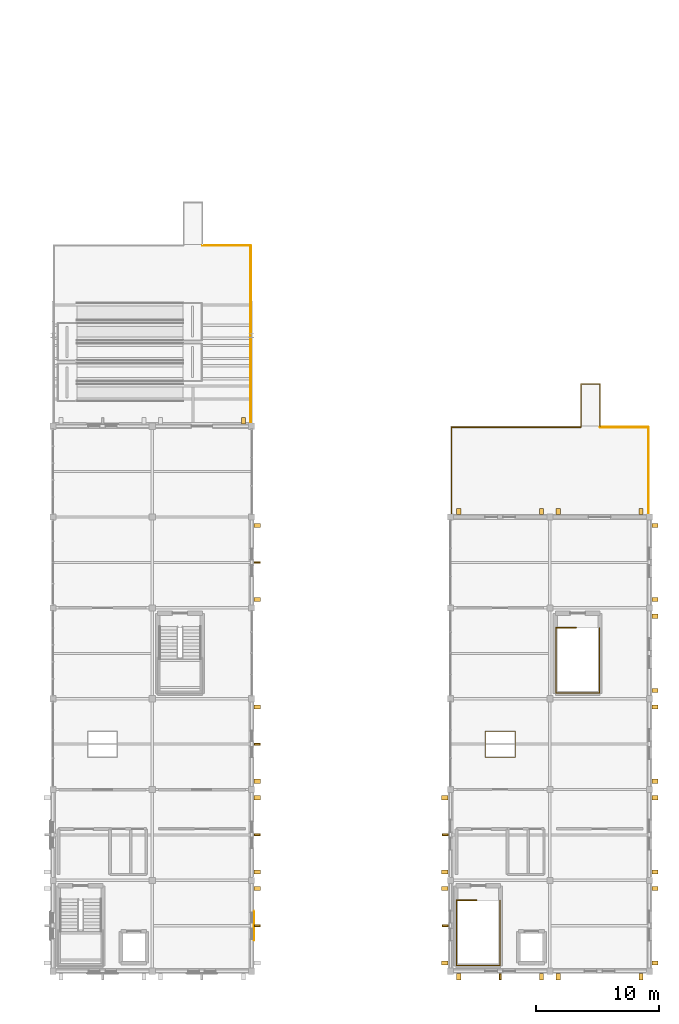
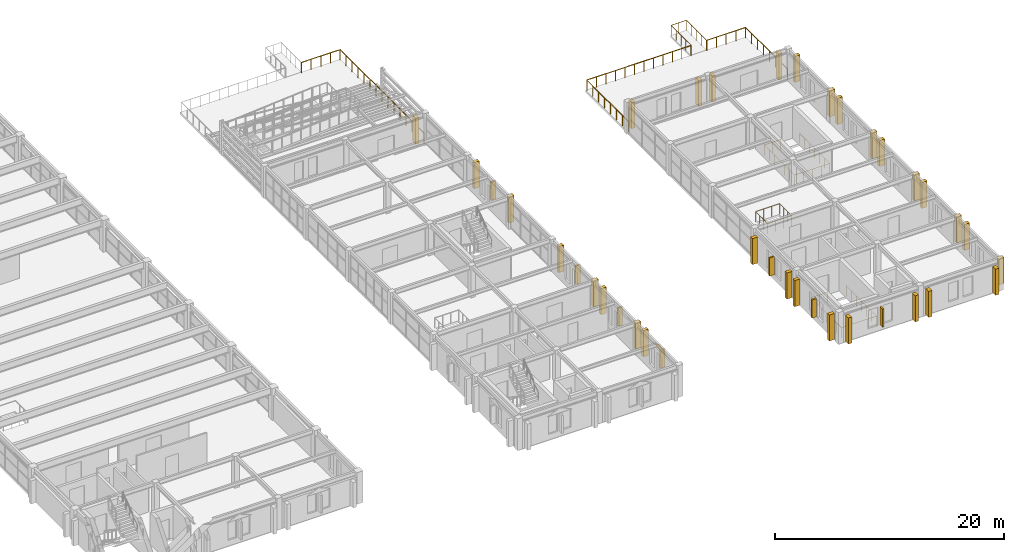
# One storey, part 93 of 93: 37 shading devices, 7 railings, 1 covering.
"""IFC4 building model written with IfcOpenShell, lengths in metres."""

from ifc_helpers import new_model, si_unit, direction, frame, origin, origin_2d, place, context, subcontext, project, spatial, polyline, rectangle, circle, outline, extrude, material, layer, layer_set, type_object, element, save


model = new_model("IFC4")

# Units and contexts
model_context = context("Model", 3, precision=1e-05, world=origin(), true_north=direction((0.0, 1.0)))
body_context = subcontext(model_context, "Body", "Model", "MODEL_VIEW")
ifc_project = project(units=[si_unit("LENGTHUNIT", "METRE"), si_unit("AREAUNIT", "SQUARE_METRE"), si_unit("VOLUMEUNIT", "CUBIC_METRE"), si_unit("PLANEANGLEUNIT", "RADIAN"), si_unit("MASSUNIT", "GRAM", prefix="KILO")], contexts=[model_context])

# Site, building, storey
site_placement = place(None, origin())
site = spatial("IfcSite", under=ifc_project, at=site_placement, CompositionType="ELEMENT")
building_placement = place(site_placement, origin())
building = spatial("IfcBuilding", under=site, at=building_placement, Name="Cimatlan Art Gallery", CompositionType="ELEMENT")
storey_placement = place(building_placement, frame((0.0, 0.0, 13.800048828125)))
storey = spatial("IfcBuildingStorey", under=building, at=storey_placement, Name="L03", CompositionType="ELEMENT", Elevation=13.800048828125)

# Covering
ifc_material_1 = material(Name="Queretaro cantera limestone ashlar hood-mould", Category="masonry")
ifc_layer = layer(ifc_material_1, 0.0419921875)
ifc_layer_set = layer_set([ifc_layer], Name="Queretaro cantera limestone ashlar hood-mould")
covering_type = type_object("IfcCoveringType", Name="COV-CLAD-CANTERA-42", PredefinedType="CLADDING", material=ifc_layer_set)
covering_placement = place(storey_placement, frame((131.778076171875, 28.820068359375, 2.58984375), z_axis=(-1.0, 0.0, 0.0), x_axis=(0.0, -1.0, 0.0)))
element("IfcCovering", 1, at=covering_placement, inside=storey, type_object=covering_type, Name="CLD-090", PredefinedType="CLADDING", context=body_context, shape_type="SweptSolid", body=[
    extrude(outline(polyline([(0.0, 0.0), (2.440185546875, 0.0), (1.219970703125, 0.52001953125), (0.0, 0.0)])), origin(), (0.0, 0.0, -1.0), 0.0419921875),
])

# Railings
ifc_material_2 = material(Name="Anodised bronze and laminated glass balustrade", Category="glass")
railing_type_1 = type_object("IfcRailingType", Name="RL-BAL-EXT-1100", PredefinedType="BALUSTRADE", material=ifc_material_2)
railing_1_placement = place(storey_placement, frame((158.43994140625, 68.300048828125, 0.0)))
element("IfcRailing", 2, at=railing_1_placement, inside=storey, type_object=railing_type_1, Name="RMP-TER-B5-GR-L5", PredefinedType="BALUSTRADE", context=body_context, shape_type="SweptSolid", body=[
    extrude(circle(Radius=0.02587890625, at=origin_2d()), frame((0.0, 0.0, 1.09423828125), z_axis=(0.0, 1.0, 0.0), x_axis=(-1.0, 0.0, 0.0)), (0.0, 0.0, 1.0), 3.449951171875),
    extrude(circle(Radius=0.02587890625, at=origin_2d()), frame((0.0, 3.449951171875, 1.09423828125), z_axis=(1.0, 0.0, 0.0), x_axis=(0.0, 1.0, 0.0)), (0.0, 0.0, 1.0), 1.550048828125),
    extrude(circle(Radius=0.02587890625, at=origin_2d()), frame((1.550048828125, 3.449951171875, 1.09423828125), z_axis=(0.0, -1.0, 0.0), x_axis=(1.0, 0.0, 0.0)), (0.0, 0.0, 1.0), 3.449951171875),
    extrude(circle(Radius=0.02099609375, at=origin_2d()), origin(), (0.0, 0.0, 1.0), 1.068115234375),
    extrude(circle(Radius=0.02099609375, at=origin_2d()), frame((0.0, 0.862548828125, 0.0)), (0.0, 0.0, 1.0), 1.068115234375),
    extrude(circle(Radius=0.02099609375, at=origin_2d()), frame((0.0, 1.72509765625, 0.0)), (0.0, 0.0, 1.0), 1.068115234375),
    extrude(circle(Radius=0.02099609375, at=origin_2d()), frame((0.0, 2.58740234375, 0.0)), (0.0, 0.0, 1.0), 1.068115234375),
    extrude(circle(Radius=0.02099609375, at=origin_2d()), frame((0.0, 3.449951171875, 0.0)), (0.0, 0.0, 1.0), 1.068115234375),
    extrude(circle(Radius=0.02099609375, at=origin_2d()), frame((0.77490234375, 3.449951171875, 0.0)), (0.0, 0.0, 1.0), 1.068115234375),
    extrude(circle(Radius=0.02099609375, at=origin_2d()), frame((1.550048828125, 3.449951171875, 0.0)), (0.0, 0.0, 1.0), 1.068115234375),
    extrude(circle(Radius=0.02099609375, at=origin_2d()), frame((1.550048828125, 2.58740234375, 0.0)), (0.0, 0.0, 1.0), 1.068115234375),
    extrude(circle(Radius=0.02099609375, at=origin_2d()), frame((1.550048828125, 1.72509765625, 0.0)), (0.0, 0.0, 1.0), 1.068115234375),
    extrude(circle(Radius=0.02099609375, at=origin_2d()), frame((1.550048828125, 0.862548828125, 0.0)), (0.0, 0.0, 1.0), 1.068115234375),
    extrude(circle(Radius=0.02099609375, at=origin_2d()), frame((1.550048828125, 0.0, 0.0)), (0.0, 0.0, 1.0), 1.068115234375),
])
railing_2_placement = place(storey_placement, frame((127.60009765625, 83.02001953125, 0.0)))
element("IfcRailing", 3, at=railing_2_placement, inside=storey, type_object=railing_type_1, Name="GR-TER-22", PredefinedType="BALUSTRADE", context=body_context, shape_type="SweptSolid", body=[
    extrude(circle(Radius=0.02587890625, at=origin_2d()), frame((0.0, 0.0, 1.09423828125), z_axis=(1.0, 0.0, 0.0), x_axis=(0.0, 1.0, 0.0)), (0.0, 0.0, 1.0), 3.919921875),
    extrude(circle(Radius=0.02587890625, at=origin_2d()), frame((3.919921875, 0.0, 1.09423828125), z_axis=(0.0, -1.0, 0.0), x_axis=(1.0, 0.0, 0.0)), (0.0, 0.0, 1.0), 14.699951171875),
    extrude(circle(Radius=0.02099609375, at=origin_2d()), origin(), (0.0, 0.0, 1.0), 1.068115234375),
    extrude(circle(Radius=0.02099609375, at=origin_2d()), frame((0.97998046875, 0.0, 0.0)), (0.0, 0.0, 1.0), 1.068115234375),
    extrude(circle(Radius=0.02099609375, at=origin_2d()), frame((1.9599609375, 0.0, 0.0)), (0.0, 0.0, 1.0), 1.068115234375),
    extrude(circle(Radius=0.02099609375, at=origin_2d()), frame((2.93994140625, 0.0, 0.0)), (0.0, 0.0, 1.0), 1.068115234375),
    extrude(circle(Radius=0.02099609375, at=origin_2d()), frame((3.919921875, 0.0, 0.0)), (0.0, 0.0, 1.0), 1.068115234375),
    extrude(circle(Radius=0.02099609375, at=origin_2d()), frame((3.919921875, -1.050048828125, 0.0)), (0.0, 0.0, 1.0), 1.068115234375),
    extrude(circle(Radius=0.02099609375, at=origin_2d()), frame((3.919921875, -2.10009765625, 0.0)), (0.0, 0.0, 1.0), 1.068115234375),
    extrude(circle(Radius=0.02099609375, at=origin_2d()), frame((3.919921875, -3.14990234375, 0.0)), (0.0, 0.0, 1.0), 1.068115234375),
    extrude(circle(Radius=0.02099609375, at=origin_2d()), frame((3.919921875, -4.199951171875, 0.0)), (0.0, 0.0, 1.0), 1.068115234375),
    extrude(circle(Radius=0.02099609375, at=origin_2d()), frame((3.919921875, -5.25, 0.0)), (0.0, 0.0, 1.0), 1.068115234375),
    extrude(circle(Radius=0.02099609375, at=origin_2d()), frame((3.919921875, -6.300048828125, 0.0)), (0.0, 0.0, 1.0), 1.068115234375),
    extrude(circle(Radius=0.02099609375, at=origin_2d()), frame((3.919921875, -7.35009765625, 0.0)), (0.0, 0.0, 1.0), 1.068115234375),
    extrude(circle(Radius=0.02099609375, at=origin_2d()), frame((3.919921875, -8.39990234375, 0.0)), (0.0, 0.0, 1.0), 1.068115234375),
    extrude(circle(Radius=0.02099609375, at=origin_2d()), frame((3.919921875, -9.449951171875, 0.0)), (0.0, 0.0, 1.0), 1.068115234375),
    extrude(circle(Radius=0.02099609375, at=origin_2d()), frame((3.919921875, -10.5, 0.0)), (0.0, 0.0, 1.0), 1.068115234375),
    extrude(circle(Radius=0.02099609375, at=origin_2d()), frame((3.919921875, -11.550048828125, 0.0)), (0.0, 0.0, 1.0), 1.068115234375),
    extrude(circle(Radius=0.02099609375, at=origin_2d()), frame((3.919921875, -12.599853515625, 0.0)), (0.0, 0.0, 1.0), 1.068115234375),
    extrude(circle(Radius=0.02099609375, at=origin_2d()), frame((3.919921875, -13.64990234375, 0.0)), (0.0, 0.0, 1.0), 1.068115234375),
    extrude(circle(Radius=0.02099609375, at=origin_2d()), frame((3.919921875, -14.699951171875, 0.0)), (0.0, 0.0, 1.0), 1.068115234375),
])
railing_3_placement = place(storey_placement, frame((147.8798828125, 60.919921875, 0.0)))
element("IfcRailing", 4, at=railing_3_placement, inside=storey, type_object=railing_type_1, Name="GR-TER-23", PredefinedType="BALUSTRADE", context=body_context, shape_type="SweptSolid", body=[
    extrude(circle(Radius=0.02587890625, at=origin_2d()), frame((0.0, 0.0, 1.09423828125), z_axis=(0.0, 1.0, 0.0), x_axis=(-1.0, 0.0, 0.0)), (0.0, 0.0, 1.0), 7.300048828125),
    extrude(circle(Radius=0.02587890625, at=origin_2d()), frame((0.0, 7.300048828125, 1.09423828125), z_axis=(1.0, 0.0, 0.0), x_axis=(0.0, 1.0, 0.0)), (0.0, 0.0, 1.0), 10.550048828125),
    extrude(circle(Radius=0.02099609375, at=origin_2d()), origin(), (0.0, 0.0, 1.0), 1.068115234375),
    extrude(circle(Radius=0.02099609375, at=origin_2d()), frame((0.0, 1.04296875, 0.0)), (0.0, 0.0, 1.0), 1.068115234375),
    extrude(circle(Radius=0.02099609375, at=origin_2d()), frame((0.0, 2.085693359375, 0.0)), (0.0, 0.0, 1.0), 1.068115234375),
    extrude(circle(Radius=0.02099609375, at=origin_2d()), frame((0.0, 3.128662109375, 0.0)), (0.0, 0.0, 1.0), 1.068115234375),
    extrude(circle(Radius=0.02099609375, at=origin_2d()), frame((0.0, 4.17138671875, 0.0)), (0.0, 0.0, 1.0), 1.068115234375),
    extrude(circle(Radius=0.02099609375, at=origin_2d()), frame((0.0, 5.21435546875, 0.0)), (0.0, 0.0, 1.0), 1.068115234375),
    extrude(circle(Radius=0.02099609375, at=origin_2d()), frame((0.0, 6.257080078125, 0.0)), (0.0, 0.0, 1.0), 1.068115234375),
    extrude(circle(Radius=0.02099609375, at=origin_2d()), frame((0.0, 7.300048828125, 0.0)), (0.0, 0.0, 1.0), 1.068115234375),
    extrude(circle(Radius=0.02099609375, at=origin_2d()), frame((0.958984375, 7.300048828125, 0.0)), (0.0, 0.0, 1.0), 1.068115234375),
    extrude(circle(Radius=0.02099609375, at=origin_2d()), frame((1.918212890625, 7.300048828125, 0.0)), (0.0, 0.0, 1.0), 1.068115234375),
    extrude(circle(Radius=0.02099609375, at=origin_2d()), frame((2.877197265625, 7.300048828125, 0.0)), (0.0, 0.0, 1.0), 1.068115234375),
    extrude(circle(Radius=0.02099609375, at=origin_2d()), frame((3.83642578125, 7.300048828125, 0.0)), (0.0, 0.0, 1.0), 1.068115234375),
    extrude(circle(Radius=0.02099609375, at=origin_2d()), frame((4.79541015625, 7.300048828125, 0.0)), (0.0, 0.0, 1.0), 1.068115234375),
    extrude(circle(Radius=0.02099609375, at=origin_2d()), frame((5.754638671875, 7.300048828125, 0.0)), (0.0, 0.0, 1.0), 1.068115234375),
    extrude(circle(Radius=0.02099609375, at=origin_2d()), frame((6.713623046875, 7.300048828125, 0.0)), (0.0, 0.0, 1.0), 1.068115234375),
    extrude(circle(Radius=0.02099609375, at=origin_2d()), frame((7.6728515625, 7.300048828125, 0.0)), (0.0, 0.0, 1.0), 1.068115234375),
    extrude(circle(Radius=0.02099609375, at=origin_2d()), frame((8.6318359375, 7.300048828125, 0.0)), (0.0, 0.0, 1.0), 1.068115234375),
    extrude(circle(Radius=0.02099609375, at=origin_2d()), frame((9.591064453125, 7.300048828125, 0.0)), (0.0, 0.0, 1.0), 1.068115234375),
    extrude(circle(Radius=0.02099609375, at=origin_2d()), frame((10.550048828125, 7.300048828125, 0.0)), (0.0, 0.0, 1.0), 1.068115234375),
])
railing_4_placement = place(storey_placement, frame((160.0, 68.219970703125, 0.0)))
element("IfcRailing", 5, at=railing_4_placement, inside=storey, type_object=railing_type_1, Name="GR-TER-24", PredefinedType="BALUSTRADE", context=body_context, shape_type="SweptSolid", body=[
    extrude(circle(Radius=0.02587890625, at=origin_2d()), frame((0.0, 0.0, 1.09423828125), z_axis=(1.0, 0.0, 0.0), x_axis=(0.0, 1.0, 0.0)), (0.0, 0.0, 1.0), 3.919921875),
    extrude(circle(Radius=0.02587890625, at=origin_2d()), frame((3.919921875, 0.0, 1.09423828125), z_axis=(0.0, -1.0, 0.0), x_axis=(1.0, 0.0, 0.0)), (0.0, 0.0, 1.0), 7.300048828125),
    extrude(circle(Radius=0.02099609375, at=origin_2d()), origin(), (0.0, 0.0, 1.0), 1.068115234375),
    extrude(circle(Radius=0.02099609375, at=origin_2d()), frame((0.97998046875, 0.0, 0.0)), (0.0, 0.0, 1.0), 1.068115234375),
    extrude(circle(Radius=0.02099609375, at=origin_2d()), frame((1.9599609375, 0.0, 0.0)), (0.0, 0.0, 1.0), 1.068115234375),
    extrude(circle(Radius=0.02099609375, at=origin_2d()), frame((2.93994140625, 0.0, 0.0)), (0.0, 0.0, 1.0), 1.068115234375),
    extrude(circle(Radius=0.02099609375, at=origin_2d()), frame((3.919921875, 0.0, 0.0)), (0.0, 0.0, 1.0), 1.068115234375),
    extrude(circle(Radius=0.02099609375, at=origin_2d()), frame((3.919921875, -1.04296875, 0.0)), (0.0, 0.0, 1.0), 1.068115234375),
    extrude(circle(Radius=0.02099609375, at=origin_2d()), frame((3.919921875, -2.085693359375, 0.0)), (0.0, 0.0, 1.0), 1.068115234375),
    extrude(circle(Radius=0.02099609375, at=origin_2d()), frame((3.919921875, -3.128662109375, 0.0)), (0.0, 0.0, 1.0), 1.068115234375),
    extrude(circle(Radius=0.02099609375, at=origin_2d()), frame((3.919921875, -4.17138671875, 0.0)), (0.0, 0.0, 1.0), 1.068115234375),
    extrude(circle(Radius=0.02099609375, at=origin_2d()), frame((3.919921875, -5.21435546875, 0.0)), (0.0, 0.0, 1.0), 1.068115234375),
    extrude(circle(Radius=0.02099609375, at=origin_2d()), frame((3.919921875, -6.257080078125, 0.0)), (0.0, 0.0, 1.0), 1.068115234375),
    extrude(circle(Radius=0.02099609375, at=origin_2d()), frame((3.919921875, -7.300048828125, 0.0)), (0.0, 0.0, 1.0), 1.068115234375),
])
ifc_material_3 = material(Name="Painted steel and bronze interior balustrade", Category="steel")
railing_type_2 = type_object("IfcRailingType", Name="RL-BAL-INT-1120", PredefinedType="BALUSTRADE", material=ifc_material_3)
railing_5_placement = place(storey_placement, frame((149.949951171875, 29.679931640625, 0.0)))
element("IfcRailing", 6, at=railing_5_placement, inside=storey, type_object=railing_type_2, Name="GR-WELL-TOP-C5", PredefinedType="BALUSTRADE", context=body_context, shape_type="SweptSolid", body=[
    extrude(circle(Radius=0.02392578125, at=origin_2d()), frame((0.0, 0.0, 1.09619140625), z_axis=(-1.0, 0.0, 0.0), x_axis=(0.0, -1.0, 0.0)), (0.0, 0.0, 1.0), 1.669921875),
    extrude(circle(Radius=0.02392578125, at=origin_2d()), frame((-1.669921875, 0.0, 1.09619140625), z_axis=(0.0, -1.0, 0.0), x_axis=(1.0, 0.0, 0.0)), (0.0, 0.0, 1.0), 5.300048828125),
    extrude(circle(Radius=0.02392578125, at=origin_2d()), frame((-1.669921875, -5.300048828125, 1.09619140625), z_axis=(1.0, 0.0, 0.0), x_axis=(0.0, 1.0, 0.0)), (0.0, 0.0, 1.0), 3.56005859375),
    extrude(circle(Radius=0.02392578125, at=origin_2d()), frame((1.89013671875, -5.300048828125, 1.09619140625), z_axis=(0.0, 1.0, 0.0), x_axis=(-1.0, 0.0, 0.0)), (0.0, 0.0, 1.0), 5.300048828125),
    extrude(circle(Radius=0.02001953125, at=origin_2d()), origin(), (0.0, 0.0, 1.0), 1.072021484375),
    extrude(circle(Radius=0.02001953125, at=origin_2d()), frame((-0.8349609375, 0.0, 0.0)), (0.0, 0.0, 1.0), 1.072021484375),
    extrude(circle(Radius=0.02001953125, at=origin_2d()), frame((-1.669921875, 0.0, 0.0)), (0.0, 0.0, 1.0), 1.072021484375),
    extrude(circle(Radius=0.02001953125, at=origin_2d()), frame((-1.669921875, -0.88330078125, 0.0)), (0.0, 0.0, 1.0), 1.072021484375),
    extrude(circle(Radius=0.02001953125, at=origin_2d()), frame((-1.669921875, -1.7666015625, 0.0)), (0.0, 0.0, 1.0), 1.072021484375),
    extrude(circle(Radius=0.02001953125, at=origin_2d()), frame((-1.669921875, -2.64990234375, 0.0)), (0.0, 0.0, 1.0), 1.072021484375),
    extrude(circle(Radius=0.02001953125, at=origin_2d()), frame((-1.669921875, -3.533447265625, 0.0)), (0.0, 0.0, 1.0), 1.072021484375),
    extrude(circle(Radius=0.02001953125, at=origin_2d()), frame((-1.669921875, -4.416748046875, 0.0)), (0.0, 0.0, 1.0), 1.072021484375),
    extrude(circle(Radius=0.02001953125, at=origin_2d()), frame((-1.669921875, -5.300048828125, 0.0)), (0.0, 0.0, 1.0), 1.072021484375),
    extrude(circle(Radius=0.02001953125, at=origin_2d()), frame((-0.77978515625, -5.300048828125, 0.0)), (0.0, 0.0, 1.0), 1.072021484375),
    extrude(circle(Radius=0.02001953125, at=origin_2d()), frame((0.110107421875, -5.300048828125, 0.0)), (0.0, 0.0, 1.0), 1.072021484375),
    extrude(circle(Radius=0.02001953125, at=origin_2d()), frame((1.0, -5.300048828125, 0.0)), (0.0, 0.0, 1.0), 1.072021484375),
    extrude(circle(Radius=0.02001953125, at=origin_2d()), frame((1.89013671875, -5.300048828125, 0.0)), (0.0, 0.0, 1.0), 1.072021484375),
    extrude(circle(Radius=0.02001953125, at=origin_2d()), frame((1.89013671875, -4.416748046875, 0.0)), (0.0, 0.0, 1.0), 1.072021484375),
    extrude(circle(Radius=0.02001953125, at=origin_2d()), frame((1.89013671875, -3.533447265625, 0.0)), (0.0, 0.0, 1.0), 1.072021484375),
    extrude(circle(Radius=0.02001953125, at=origin_2d()), frame((1.89013671875, -2.64990234375, 0.0)), (0.0, 0.0, 1.0), 1.072021484375),
    extrude(circle(Radius=0.02001953125, at=origin_2d()), frame((1.89013671875, -1.7666015625, 0.0)), (0.0, 0.0, 1.0), 1.072021484375),
    extrude(circle(Radius=0.02001953125, at=origin_2d()), frame((1.89013671875, -0.88330078125, 0.0)), (0.0, 0.0, 1.0), 1.072021484375),
    extrude(circle(Radius=0.02001953125, at=origin_2d()), frame((1.89013671875, 0.0, 0.0)), (0.0, 0.0, 1.0), 1.072021484375),
])
railing_6_placement = place(storey_placement, frame((158.050048828125, 51.8798828125, 0.0)))
element("IfcRailing", 7, at=railing_6_placement, inside=storey, type_object=railing_type_2, Name="GR-WELL-TOP-C10", PredefinedType="BALUSTRADE", context=body_context, shape_type="SweptSolid", body=[
    extrude(circle(Radius=0.02392578125, at=origin_2d()), frame((0.0, 0.0, 1.09619140625), z_axis=(-1.0, 0.0, 0.0), x_axis=(0.0, -1.0, 0.0)), (0.0, 0.0, 1.0), 1.670166015625),
    extrude(circle(Radius=0.02392578125, at=origin_2d()), frame((-1.670166015625, 0.0, 1.09619140625), z_axis=(0.0, -1.0, 0.0), x_axis=(1.0, 0.0, 0.0)), (0.0, 0.0, 1.0), 5.2998046875),
    extrude(circle(Radius=0.02392578125, at=origin_2d()), frame((-1.670166015625, -5.2998046875, 1.09619140625), z_axis=(1.0, 0.0, 0.0), x_axis=(0.0, 1.0, 0.0)), (0.0, 0.0, 1.0), 3.56005859375),
    extrude(circle(Radius=0.02392578125, at=origin_2d()), frame((1.889892578125, -5.2998046875, 1.09619140625), z_axis=(0.0, 1.0, 0.0), x_axis=(-1.0, 0.0, 0.0)), (0.0, 0.0, 1.0), 5.2998046875),
    extrude(circle(Radius=0.02001953125, at=origin_2d()), origin(), (0.0, 0.0, 1.0), 1.072021484375),
    extrude(circle(Radius=0.02001953125, at=origin_2d()), frame((-0.8349609375, 0.0, 0.0)), (0.0, 0.0, 1.0), 1.072021484375),
    extrude(circle(Radius=0.02001953125, at=origin_2d()), frame((-1.670166015625, 0.0, 0.0)), (0.0, 0.0, 1.0), 1.072021484375),
    extrude(circle(Radius=0.02001953125, at=origin_2d()), frame((-1.670166015625, -0.88330078125, 0.0)), (0.0, 0.0, 1.0), 1.072021484375),
    extrude(circle(Radius=0.02001953125, at=origin_2d()), frame((-1.670166015625, -1.7666015625, 0.0)), (0.0, 0.0, 1.0), 1.072021484375),
    extrude(circle(Radius=0.02001953125, at=origin_2d()), frame((-1.670166015625, -2.64990234375, 0.0)), (0.0, 0.0, 1.0), 1.072021484375),
    extrude(circle(Radius=0.02001953125, at=origin_2d()), frame((-1.670166015625, -3.533203125, 0.0)), (0.0, 0.0, 1.0), 1.072021484375),
    extrude(circle(Radius=0.02001953125, at=origin_2d()), frame((-1.670166015625, -4.41650390625, 0.0)), (0.0, 0.0, 1.0), 1.072021484375),
    extrude(circle(Radius=0.02001953125, at=origin_2d()), frame((-1.670166015625, -5.2998046875, 0.0)), (0.0, 0.0, 1.0), 1.072021484375),
    extrude(circle(Radius=0.02001953125, at=origin_2d()), frame((-0.7802734375, -5.2998046875, 0.0)), (0.0, 0.0, 1.0), 1.072021484375),
    extrude(circle(Radius=0.02001953125, at=origin_2d()), frame((0.10986328125, -5.2998046875, 0.0)), (0.0, 0.0, 1.0), 1.072021484375),
    extrude(circle(Radius=0.02001953125, at=origin_2d()), frame((1.0, -5.2998046875, 0.0)), (0.0, 0.0, 1.0), 1.072021484375),
    extrude(circle(Radius=0.02001953125, at=origin_2d()), frame((1.889892578125, -5.2998046875, 0.0)), (0.0, 0.0, 1.0), 1.072021484375),
    extrude(circle(Radius=0.02001953125, at=origin_2d()), frame((1.889892578125, -4.41650390625, 0.0)), (0.0, 0.0, 1.0), 1.072021484375),
    extrude(circle(Radius=0.02001953125, at=origin_2d()), frame((1.889892578125, -3.533203125, 0.0)), (0.0, 0.0, 1.0), 1.072021484375),
    extrude(circle(Radius=0.02001953125, at=origin_2d()), frame((1.889892578125, -2.64990234375, 0.0)), (0.0, 0.0, 1.0), 1.072021484375),
    extrude(circle(Radius=0.02001953125, at=origin_2d()), frame((1.889892578125, -1.7666015625, 0.0)), (0.0, 0.0, 1.0), 1.072021484375),
    extrude(circle(Radius=0.02001953125, at=origin_2d()), frame((1.889892578125, -0.88330078125, 0.0)), (0.0, 0.0, 1.0), 1.072021484375),
    extrude(circle(Radius=0.02001953125, at=origin_2d()), frame((1.889892578125, 0.0, 0.0)), (0.0, 0.0, 1.0), 1.072021484375),
])
railing_7_placement = place(storey_placement, frame((150.639892578125, 41.340087890625, 0.0)))
element("IfcRailing", 8, at=railing_7_placement, inside=storey, type_object=railing_type_2, Name="GR-OCU-L03-B5S", PredefinedType="BALUSTRADE", context=body_context, shape_type="SweptSolid", body=[
    extrude(circle(Radius=0.02392578125, at=origin_2d()), frame((0.0, 0.0, 1.09619140625), z_axis=(1.0, 0.0, 0.0), x_axis=(0.0, 1.0, 0.0)), (0.0, 0.0, 1.0), 2.420166015625),
    extrude(circle(Radius=0.02392578125, at=origin_2d()), frame((2.420166015625, 0.0, 1.09619140625), z_axis=(0.0, 1.0, 0.0), x_axis=(-1.0, 0.0, 0.0)), (0.0, 0.0, 1.0), 2.119873046875),
    extrude(circle(Radius=0.02392578125, at=origin_2d()), frame((2.420166015625, 2.119873046875, 1.09619140625), z_axis=(-1.0, 0.0, 0.0), x_axis=(0.0, -1.0, 0.0)), (0.0, 0.0, 1.0), 2.420166015625),
    extrude(circle(Radius=0.02392578125, at=origin_2d()), frame((0.0, 2.119873046875, 1.09619140625), z_axis=(0.0, -1.0, 0.0), x_axis=(1.0, 0.0, 0.0)), (0.0, 0.0, 1.0), 2.080078125),
    extrude(circle(Radius=0.02001953125, at=origin_2d()), origin(), (0.0, 0.0, 1.0), 1.072021484375),
    extrude(circle(Radius=0.02001953125, at=origin_2d()), frame((0.806640625, 0.0, 0.0)), (0.0, 0.0, 1.0), 1.072021484375),
    extrude(circle(Radius=0.02001953125, at=origin_2d()), frame((1.613525390625, 0.0, 0.0)), (0.0, 0.0, 1.0), 1.072021484375),
    extrude(circle(Radius=0.02001953125, at=origin_2d()), frame((2.420166015625, 0.0, 0.0)), (0.0, 0.0, 1.0), 1.072021484375),
    extrude(circle(Radius=0.02001953125, at=origin_2d()), frame((2.420166015625, 0.70654296875, 0.0)), (0.0, 0.0, 1.0), 1.072021484375),
    extrude(circle(Radius=0.02001953125, at=origin_2d()), frame((2.420166015625, 1.413330078125, 0.0)), (0.0, 0.0, 1.0), 1.072021484375),
    extrude(circle(Radius=0.02001953125, at=origin_2d()), frame((2.420166015625, 2.119873046875, 0.0)), (0.0, 0.0, 1.0), 1.072021484375),
    extrude(circle(Radius=0.02001953125, at=origin_2d()), frame((1.613525390625, 2.119873046875, 0.0)), (0.0, 0.0, 1.0), 1.072021484375),
    extrude(circle(Radius=0.02001953125, at=origin_2d()), frame((0.806640625, 2.119873046875, 0.0)), (0.0, 0.0, 1.0), 1.072021484375),
    extrude(circle(Radius=0.02001953125, at=origin_2d()), frame((0.0, 2.119873046875, 0.0)), (0.0, 0.0, 1.0), 1.072021484375),
    extrude(circle(Radius=0.02001953125, at=origin_2d()), frame((0.0, 1.426513671875, 0.0)), (0.0, 0.0, 1.0), 1.072021484375),
    extrude(circle(Radius=0.02001953125, at=origin_2d()), frame((0.0, 0.733154296875, 0.0)), (0.0, 0.0, 1.0), 1.072021484375),
    extrude(circle(Radius=0.02001953125, at=origin_2d()), frame((0.0, 0.039794921875, 0.0)), (0.0, 0.0, 1.0), 1.072021484375),
])

# Shading devices
ifc_material_4 = material(Name="Queretaro cantera limestone buttress pilaster", Category="masonry")
shading_device_type_1 = type_object("IfcShadingDeviceType", Name="SHD-BUT-520", PredefinedType="USERDEFINED", material=ifc_material_4)
for number, where, z_axis, x_axis, name in (
    (9, (132.05810546875, 30.6259765625, 0.059814453125), (0.0, 0.0, 1.0), (0.0, -1.0, 0.0), "BUT-0417"),
    (10, (132.05810546875, 38.02587890625, 0.059814453125), (0.0, 0.0, 1.0), (0.0, -1.0, 0.0), "BUT-0419"),
    (11, (132.05810546875, 31.97412109375, 0.059814453125), (0.0, 0.0, 1.0), (0.0, -1.0, 0.0), "BUT-0420"),
    (12, (132.05810546875, 45.426025390625, 0.059814453125), (0.0, 0.0, 1.0), (0.0, -1.0, 0.0), "BUT-0421"),
    (13, (132.05810546875, 39.3740234375, 0.059814453125), (0.0, 0.0, 1.0), (0.0, -1.0, 0.0), "BUT-0422"),
    (14, (132.05810546875, 60.22607421875, 0.059814453125), (0.0, 0.0, 1.0), (0.0, -1.0, 0.0), "BUT-0423"),
    (15, (132.05810546875, 54.174072265625, 0.059814453125), (0.0, 0.0, 1.0), (0.0, -1.0, 0.0), "BUT-0424"),
    (16, (130.926025390625, 68.758056640625, 0.059814453125), (0.0, 0.0, 1.0), (1.0, 0.0, 0.0), "BUT-0426"),
    (17, (155.22607421875, 23.44189453125, 0.059814453125), (0.0, 0.0, 1.0), (-1.0, 0.0, 0.0), "BUT-0427"),
    (18, (148.47412109375, 23.44189453125, 0.059814453125), (0.0, 0.0, 1.0), (-1.0, 0.0, 0.0), "BUT-0428"),
    (19, (147.342041015625, 24.573974609375, 0.059814453125), (0.0, 0.0, 1.0), (0.0, 1.0, 0.0), "BUT-0429"),
    (20, (147.342041015625, 30.6259765625, 0.059814453125), (0.0, 0.0, 1.0), (0.0, 1.0, 0.0), "BUT-0430"),
    (21, (147.342041015625, 31.97412109375, 0.059814453125), (0.0, 0.0, 1.0), (0.0, 1.0, 0.0), "BUT-0431"),
    (22, (147.342041015625, 38.02587890625, 0.059814453125), (0.0, 0.0, 1.0), (0.0, 1.0, 0.0), "BUT-0432"),
    (23, (148.47412109375, 61.35791015625, 0.059814453125), (0.0, 0.0, 1.0), (1.0, 0.0, 0.0), "BUT-0433"),
    (24, (155.22607421875, 61.35791015625, 0.059814453125), (0.0, 0.0, 1.0), (1.0, 0.0, 0.0), "BUT-0434"),
    (25, (163.325927734375, 23.44189453125, 0.059814453125), (0.0, 0.0, 1.0), (-1.0, 0.0, 0.0), "BUT-0435"),
    (26, (156.573974609375, 23.44189453125, 0.059814453125), (0.0, 0.0, 1.0), (-1.0, 0.0, 0.0), "BUT-0436"),
    (27, (164.4580078125, 30.6259765625, 0.059814453125), (0.0, 0.0, 1.0), (0.0, -1.0, 0.0), "BUT-0437"),
    (28, (164.4580078125, 24.573974609375, 0.059814453125), (0.0, 0.0, 1.0), (0.0, -1.0, 0.0), "BUT-0438"),
    (29, (164.4580078125, 38.02587890625, 0.059814453125), (0.0, 0.0, 1.0), (0.0, -1.0, 0.0), "BUT-0439"),
    (30, (164.4580078125, 31.97412109375, 0.059814453125), (0.0, 0.0, 1.0), (0.0, -1.0, 0.0), "BUT-0440"),
    (31, (164.4580078125, 45.426025390625, 0.059814453125), (0.0, 0.0, 1.0), (0.0, -1.0, 0.0), "BUT-0441"),
    (32, (164.4580078125, 39.3740234375, 0.059814453125), (0.0, 0.0, 1.0), (0.0, -1.0, 0.0), "BUT-0442"),
    (33, (164.4580078125, 52.825927734375, 0.059814453125), (0.0, 0.0, 1.0), (0.0, -1.0, 0.0), "BUT-0443"),
    (34, (164.4580078125, 46.77392578125, 0.059814453125), (0.0, 0.0, 1.0), (0.0, -1.0, 0.0), "BUT-0444"),
    (35, (156.573974609375, 61.35791015625, 0.059814453125), (0.0, 0.0, 1.0), (1.0, 0.0, 0.0), "BUT-0445"),
    (36, (163.325927734375, 61.35791015625, 0.059814453125), (0.0, 0.0, 1.0), (1.0, 0.0, 0.0), "BUT-0446"),
    (37, (164.4580078125, 60.22607421875, 0.059814453125), (0.0, 0.0, 1.0), (0.0, -1.0, 0.0), "BUT-0447"),
    (38, (164.4580078125, 54.174072265625, 0.059814453125), (0.0, 0.0, 1.0), (0.0, -1.0, 0.0), "BUT-0448"),
):
    element("IfcShadingDevice", number, at=place(storey_placement, frame(where, z_axis=z_axis, x_axis=x_axis)), inside=storey, type_object=shading_device_type_1, Name=name, ObjectType="FIN", PredefinedType="USERDEFINED", context=body_context, shape_type="SweptSolid", body=[
        extrude(rectangle(XDim=0.340087890625, YDim=0.52001953125, at=origin_2d()), origin(), (0.0, 0.0, 1.0), 2.7880859375),
    ])
ifc_material_5 = material(Name="Queretaro cantera limestone lancet mullion fin", Category="masonry")
shading_device_type_2 = type_object("IfcShadingDeviceType", Name="SHD-FIN-480", PredefinedType="USERDEFINED", material=ifc_material_5)
for number, where, z_axis, x_axis, name in (
    (39, (132.0380859375, 27.60009765625, 0.599853515625), (0.0, 0.0, 1.0), (0.0, -1.0, 0.0), "FIN-134"),
    (40, (132.0380859375, 35.0, 0.599853515625), (0.0, 0.0, 1.0), (0.0, -1.0, 0.0), "FIN-135"),
    (41, (132.0380859375, 42.39990234375, 0.599853515625), (0.0, 0.0, 1.0), (0.0, -1.0, 0.0), "FIN-136"),
):
    element("IfcShadingDevice", number, at=place(storey_placement, frame(where, z_axis=z_axis, x_axis=x_axis)), inside=storey, type_object=shading_device_type_2, Name=name, ObjectType="FIN", PredefinedType="USERDEFINED", context=body_context, shape_type="SweptSolid", body=[
        extrude(rectangle(XDim=0.159912109375, YDim=0.47998046875, at=origin_2d()), origin(), (0.0, 0.0, 1.0), 1.9599609375),
    ])
shading_device_placement = place(storey_placement, frame((132.0380859375, 57.199951171875, 0.60009765625), z_axis=(0.0, 0.0, 1.0), x_axis=(0.0, -1.0, 0.0)))
element("IfcShadingDevice", 42, at=shading_device_placement, inside=storey, type_object=shading_device_type_2, Name="FIN-137", ObjectType="FIN", PredefinedType="USERDEFINED", context=body_context, shape_type="SweptSolid", body=[
    extrude(rectangle(XDim=0.159912109375, YDim=0.47998046875, at=origin_2d()), origin(), (0.0, 0.0, 1.0), 1.93994140625),
])
for number, where, z_axis, x_axis, name in (
    (43, (151.85009765625, 23.4619140625, 0.60009765625), (0.0, 0.0, 1.0), (-1.0, 0.0, 0.0), "FIN-138"),
    (44, (147.362060546875, 27.60009765625, 0.60009765625), (0.0, 0.0, 1.0), (0.0, 1.0, 0.0), "FIN-139"),
    (45, (147.362060546875, 35.0, 0.60009765625), (0.0, 0.0, 1.0), (0.0, 1.0, 0.0), "FIN-140"),
):
    element("IfcShadingDevice", number, at=place(storey_placement, frame(where, z_axis=z_axis, x_axis=x_axis)), inside=storey, type_object=shading_device_type_2, Name=name, ObjectType="FIN", PredefinedType="USERDEFINED", context=body_context, shape_type="SweptSolid", body=[
        extrude(rectangle(XDim=0.159912109375, YDim=0.47998046875, at=origin_2d()), origin(), (0.0, 0.0, 1.0), 1.949951171875),
    ])

save(model, "model.ifc")
